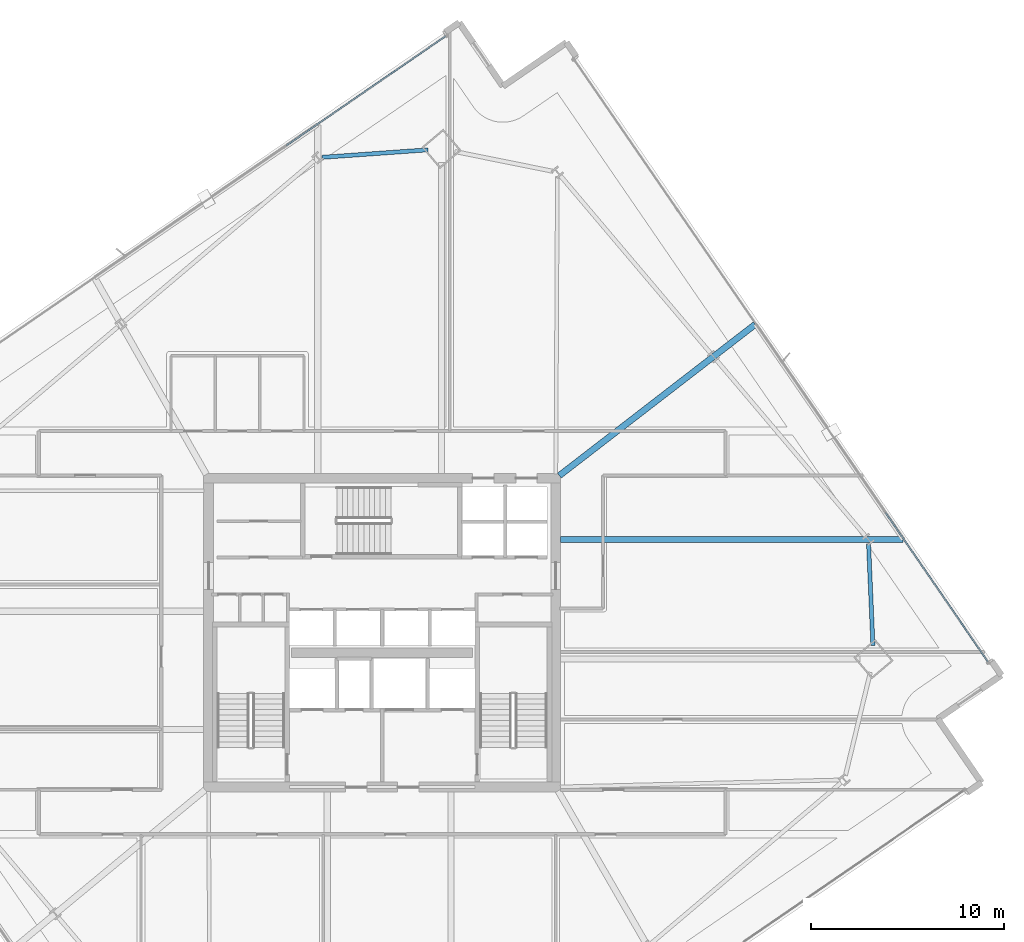
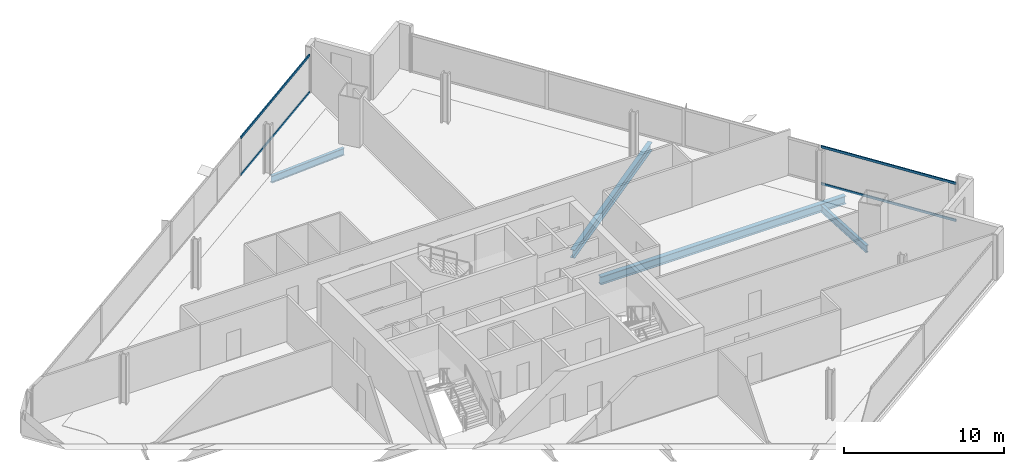
# One storey, part 16 of 29: 4 beams, 4 members, 2 elements without a shape of their own.
"""IFC4 building model written with IfcOpenShell, lengths in metres."""

import ifcopenshell
import ifcopenshell.guid

model = None  # the IFC model being written
_history = None  # IfcOwnerHistory: only IFC2X3 demands one
_inside = {}  # id of a spatial element -> (the spatial element, [elements in it])
_under = {}  # id of a project, library or spatial element -> (it, [spatial elements below it])
_declared = {}  # id of a project -> (the project, [libraries it declares])
_typed = {}  # id of a type object -> (the type object, [elements of that type])
_made_of = {}  # id of a material, layer set ... -> (it, [elements and type objects made of it])


def new_model(schema):
    """Start an empty IFC model of exactly this schema.

    Asked for "IFC4X3", IfcOpenShell would pick the latest addendum, in which some entities
    have other attributes; the version numbers below select the first issue.
    IFC2X3 requires an IfcOwnerHistory on every rooted entity: one is made here for all.
    """
    global model, _history
    if schema == "IFC4X3":
        model = ifcopenshell.file(schema_version=(4, 3, 0, 0))
    else:
        model = ifcopenshell.file(schema=schema)
    _inside.clear()
    _under.clear()
    _declared.clear()
    _typed.clear()
    _made_of.clear()
    _history = None
    if model.schema == "IFC2X3":
        org = make("IfcOrganization", Name="unknown")
        user = make(
            "IfcPersonAndOrganization",
            ThePerson=make("IfcPerson", FamilyName="unknown"),
            TheOrganization=org,
        )
        app = make(
            "IfcApplication",
            ApplicationDeveloper=org,
            Version="unknown",
            ApplicationFullName="unknown",
            ApplicationIdentifier="unknown",
        )
        _history = make(
            "IfcOwnerHistory",
            OwningUser=user,
            OwningApplication=app,
            ChangeAction="ADDED",
            CreationDate=0,
        )
    return model


def make(cls, **values):
    """One entity of the class cls with the attributes given. An attribute that is None is left unset."""
    return model.create_entity(
        cls, **{name: value for name, value in values.items() if value is not None}
    )


def rooted(cls, **values):
    """An entity with a GlobalId (a new one), such as an element, a storey or a relation."""
    return make(cls, GlobalId=ifcopenshell.guid.new(), OwnerHistory=_history, **values)


def si_unit(unit_type, name, prefix=None):
    """IfcSIUnit, for example si_unit("LENGTHUNIT", "METRE", prefix="MILLI")."""
    return make("IfcSIUnit", UnitType=unit_type, Prefix=prefix, Name=name)


def assignment(units):
    """IfcUnitAssignment: the units of a project."""
    return None if units is None else make("IfcUnitAssignment", Units=units)


def point(xyz):
    """IfcCartesianPoint."""
    return None if xyz is None else make("IfcCartesianPoint", Coordinates=xyz)


def direction(xyz):
    """IfcDirection."""
    return None if xyz is None else make("IfcDirection", DirectionRatios=xyz)


def frame(location, z_axis=None, x_axis=None):
    """IfcAxis2Placement3D, a coordinate frame: its origin and axes. An axis left out is left unset."""
    return make(
        "IfcAxis2Placement3D",
        Location=point(location),
        Axis=direction(z_axis),
        RefDirection=direction(x_axis),
    )


def frame_2d(location, x_axis=None):
    """IfcAxis2Placement2D, a coordinate frame in the plane: its origin and x axis."""
    return make(
        "IfcAxis2Placement2D", Location=point(location), RefDirection=direction(x_axis)
    )


def origin():
    """The frame at (0, 0, 0) with its axes left unset."""
    return frame((0.0, 0.0, 0.0))


def origin_2d():
    """The frame at (0, 0) in the plane with its x axis left unset."""
    return frame_2d((0.0, 0.0))


def place(relative_to, where):
    """IfcLocalPlacement: puts the frame where relative to a parent placement (None: the world)."""
    return make(
        "IfcLocalPlacement", PlacementRelTo=relative_to, RelativePlacement=where
    )


def context(
    kind, dimensions, precision=None, world=None, true_north=None, identifier=None
):
    """IfcGeometricRepresentationContext, for example the 3D "Model" context."""
    return make(
        "IfcGeometricRepresentationContext",
        ContextIdentifier=identifier,
        ContextType=kind,
        CoordinateSpaceDimension=dimensions,
        Precision=precision,
        WorldCoordinateSystem=world,
        TrueNorth=true_north,
    )


def subcontext(parent, identifier, kind, view, scale=None):
    """IfcGeometricRepresentationSubContext, for example "Body" below "Model"."""
    return make(
        "IfcGeometricRepresentationSubContext",
        ContextIdentifier=identifier,
        ContextType=kind,
        ParentContext=parent,
        TargetScale=scale,
        TargetView=view,
    )


def project(units=None, contexts=None):
    """IfcProject with its units and contexts."""
    return rooted(
        "IfcProject",
        Name="project",
        RepresentationContexts=contexts,
        UnitsInContext=assignment(units),
    )


def spatial(cls, under=None, at=None, **own):
    """A site, building, storey or space (cls), placed at a placement, below another one or the project."""
    s = rooted(cls, ObjectPlacement=at, **own)
    if under is not None:
        _under.setdefault(under.id(), (under, []))[1].append(s)
    return s


def profile(cls, at=None, kind="AREA", **sizes):
    """A parametric profile (cls). Its sizes go by their IFC names, for example OverallWidth=200.0."""
    return make(cls, ProfileType=kind, Position=at, **sizes)


def hollow_rectangle(**sizes):
    """IfcRectangleHollowProfileDef."""
    return profile("IfcRectangleHollowProfileDef", **sizes)


def i_section(**sizes):
    """IfcIShapeProfileDef."""
    return profile("IfcIShapeProfileDef", **sizes)


def extrude(swept, where, along, depth):
    """IfcExtrudedAreaSolid: the profile swept, set in the frame where, extruded along a direction by depth."""
    return make(
        "IfcExtrudedAreaSolid",
        SweptArea=swept,
        Position=where,
        ExtrudedDirection=direction(along),
        Depth=depth,
    )


def shape(context_of_items, identifier, shape_type, items):
    """IfcShapeRepresentation: the items that make up one representation, for example the "Body"."""
    return make(
        "IfcShapeRepresentation",
        ContextOfItems=context_of_items,
        RepresentationIdentifier=identifier,
        RepresentationType=shape_type,
        Items=items,
    )


def material(Name=None, Category=None):
    """IfcMaterial."""
    return make("IfcMaterial", Name=Name, Category=Category)


def material_profile(
    of_material, cross_section, Name=None, Category=None, Priority=None
):
    """IfcMaterialProfile: a cross section and its material."""
    return make(
        "IfcMaterialProfile",
        Name=Name,
        Material=of_material,
        Profile=cross_section,
        Priority=Priority,
        Category=Category,
    )


def profile_set(profiles, Name=None, composite=None):
    """IfcMaterialProfileSet."""
    return make(
        "IfcMaterialProfileSet",
        Name=Name,
        MaterialProfiles=profiles,
        CompositeProfile=composite,
    )


def made_of(thing, what):
    """Note that an element or type object is made of a material, layer set ...; save() writes the relation."""
    if what is not None:
        _made_of.setdefault(what.id(), (what, []))[1].append(thing)
    return thing


def type_object(cls, material=None, **own):
    """A type object (cls), such as IfcWallType, which elements share."""
    return made_of(rooted(cls, **own), material)


def element(
    cls,
    number,
    at=None,
    inside=None,
    cuts=None,
    type_object=None,
    material=None,
    context=None,
    identifier="Body",
    shape_type=None,
    held_by="IfcProductDefinitionShape",
    body=None,
    shapes=None,
    **own,
):
    """One element of the class cls, such as IfcWall. Its Tag is "e" and its number.

    at: its placement. inside: the storey or other place that contains it. cuts: it is an
    opening in that element (IfcRelVoidsElement). A single representation is given by context,
    identifier, shape_type and body (its items); several are given by shapes. held_by: the class
    of the entity that holds the representations. save() writes the other relations.
    """
    e = rooted(cls, Tag="e%d" % number, ObjectPlacement=at, **own)
    if body is not None:
        shapes = [shape(context, identifier, shape_type, body)]
    if shapes is not None:
        e.Representation = make(held_by, Representations=shapes)
    if inside is not None:
        _inside.setdefault(inside.id(), (inside, []))[1].append(e)
    if cuts is not None:
        rooted(
            "IfcRelVoidsElement", RelatingBuildingElement=cuts, RelatedOpeningElement=e
        )
    if type_object is not None:
        _typed.setdefault(type_object.id(), (type_object, []))[1].append(e)
    return made_of(e, material)


def aggregate(whole, parts):
    """IfcRelAggregates: a whole, such as a stair, and the parts it consists of."""
    return rooted("IfcRelAggregates", RelatingObject=whole, RelatedObjects=parts)


def save(model, path):
    """Write the relations noted so far, then the file.

    IfcRelAggregates (storeys below a building ...), IfcRelContainedInSpatialStructure (elements
    in a storey), IfcRelDefinesByType, IfcRelAssociatesMaterial and IfcRelDeclares: one each for
    every whole, place, type object, material and project.
    """
    for whole, parts in _under.values():
        aggregate(whole, parts)
    for where, things in _inside.values():
        rooted(
            "IfcRelContainedInSpatialStructure",
            RelatedElements=things,
            RelatingStructure=where,
        )
    for kind, things in _typed.values():
        rooted("IfcRelDefinesByType", RelatedObjects=things, RelatingType=kind)
    for what, things in _made_of.values():
        rooted("IfcRelAssociatesMaterial", RelatedObjects=things, RelatingMaterial=what)
    for by, libraries in _declared.values():
        rooted("IfcRelDeclares", RelatingContext=by, RelatedDefinitions=libraries)
    model.write(path)


model = new_model("IFC4")

# Units and contexts
model_context = context("Model", 3, precision=1e-05, world=origin(), true_north=direction((0.0, 1.0)))
body_context = subcontext(model_context, "Body", "Model", "MODEL_VIEW")
ifc_project = project(units=[si_unit("LENGTHUNIT", "METRE"), si_unit("AREAUNIT", "SQUARE_METRE"), si_unit("VOLUMEUNIT", "CUBIC_METRE"), si_unit("PLANEANGLEUNIT", "RADIAN"), si_unit("MASSUNIT", "GRAM", prefix="KILO")], contexts=[model_context])

# Site, building, storey
site_placement = place(None, origin())
site = spatial("IfcSite", under=ifc_project, at=site_placement, CompositionType="ELEMENT")
building_placement = place(site_placement, origin())
building = spatial("IfcBuilding", under=site, at=building_placement, Name="Haldenkirk Collegiate Tower", CompositionType="ELEMENT")
storey_placement = place(building_placement, frame((0.0, 0.0, 144.449951171875)))
storey = spatial("IfcBuildingStorey", under=building, at=storey_placement, Name="L35", CompositionType="ELEMENT", Elevation=144.449951171875)

# Beams
ifc_material_1 = material(Name="Steel ASTM A992 Grade 50", Category="steel")
ifc_material_profile_1 = material_profile(ifc_material_1, i_section(OverallWidth=0.324951171875, OverallDepth=0.615966796875, WebThickness=0.013916015625, FlangeThickness=0.021484375, at=origin_2d()), Name="W24X117")
ifc_profile_set_1 = profile_set([ifc_material_profile_1], Name="Steel ASTM A992 Grade 50")
beam_type_1 = type_object("IfcBeamType", Name="BM-GIRDER-W24X117", PredefinedType="BEAM", material=ifc_profile_set_1)
beam_1_placement = place(storey_placement, frame((62.995361328125, 30.82421875, -0.597900390625), z_axis=(-1.0, 0.0, 0.0), x_axis=(0.0, -1.0, 0.0)))
element("IfcBeam", 1, at=beam_1_placement, inside=storey, type_object=beam_type_1, Name="L35 primary floor girder 08", PredefinedType="BEAM", context=body_context, shape_type="SweptSolid", body=[
    extrude(i_section(OverallWidth=0.324951171875, OverallDepth=0.615966796875, WebThickness=0.013916015625, FlangeThickness=0.021484375, at=origin_2d()), origin(), (0.0, 0.0, 1.0), 17.765380859375),
])
beam_2_placement = place(storey_placement, frame((55.33154296875, 41.974853515625, -0.597900390625), z_axis=(-0.791596461245, -0.611044223067, 0.0), x_axis=(0.611044223067, -0.791596461245, 0.0)))
element("IfcBeam", 2, at=beam_2_placement, inside=storey, type_object=beam_type_1, Name="L35 primary floor girder 09", PredefinedType="BEAM", context=body_context, shape_type="SweptSolid", body=[
    extrude(i_section(OverallWidth=0.324951171875, OverallDepth=0.615966796875, WebThickness=0.013916015625, FlangeThickness=0.021484375, at=origin_2d()), origin(), (0.0, 0.0, 1.0), 12.821533203125),
])
ifc_material_profile_2 = material_profile(ifc_material_1, i_section(OverallWidth=0.2119140625, OverallDepth=0.5439453125, WebThickness=0.01318359375, FlangeThickness=0.021240234375, at=origin_2d()), Name="W21X83")
ifc_profile_set_2 = profile_set([ifc_material_profile_2], Name="Steel ASTM A992 Grade 50")
beam_type_2 = type_object("IfcBeamType", Name="BM-SPANDREL-W21X83", PredefinedType="SPANDREL", material=ifc_profile_set_2)
beam_3_placement = place(storey_placement, frame((61.434814453125, 25.33349609375, -0.56201171875), z_axis=(-0.042833703015, 0.999082215779, 0.0), x_axis=(-0.999082215779, -0.042833703015, 0.0)))
element("IfcBeam", 3, at=beam_3_placement, inside=storey, type_object=beam_type_2, Name="L35 perimeter spandrel beam 05", PredefinedType="SPANDREL", context=body_context, shape_type="SweptSolid", body=[
    extrude(i_section(OverallWidth=0.2119140625, OverallDepth=0.5439453125, WebThickness=0.01318359375, FlangeThickness=0.021240234375, at=origin_2d()), origin(), (0.0, 0.0, 1.0), 5.2666015625),
])
beam_4_placement = place(storey_placement, frame((38.373779296875, 51.025146484375, -0.56201171875), z_axis=(-0.997489017738, -0.070821320891, 0.0), x_axis=(0.070821320891, -0.997489017738, 0.0)))
element("IfcBeam", 4, at=beam_4_placement, inside=storey, type_object=beam_type_2, Name="L35 perimeter spandrel beam 09", PredefinedType="SPANDREL", context=body_context, shape_type="SweptSolid", body=[
    extrude(i_section(OverallWidth=0.2119140625, OverallDepth=0.5439453125, WebThickness=0.01318359375, FlangeThickness=0.021240234375, at=origin_2d()), origin(), (0.0, 0.0, 1.0), 5.501953125),
])

# Curtain wall, members
ifc_material_2 = material(Name="Anodised architectural bronze aluminium", Category="aluminium")
curtain_wall_type = type_object("IfcCurtainWallType", Name="CW-SYS1-CONVEX-LOW", PredefinedType="USERDEFINED", material=ifc_material_2)
curtain_wall_1_placement = place(storey_placement, origin())
curtain_wall_1 = element("IfcCurtainWall", 5, at=curtain_wall_1_placement, inside=storey, type_object=curtain_wall_type, Name="L35 Lower tower convex bronze-framed unitised curtain wall", ObjectType="UNITISED CURTAIN WALL", PredefinedType="USERDEFINED")
ifc_material_profile_3 = material_profile(ifc_material_2, hollow_rectangle(XDim=0.080078125, YDim=0.179931640625, WallThickness=0.0048828125, at=origin_2d()), Name="CW-TRN-1A")
ifc_profile_set_3 = profile_set([ifc_material_profile_3], Name="Anodised architectural bronze aluminium")
member_type = type_object("IfcMemberType", Name="CW-TRN-1A", PredefinedType="USERDEFINED", material=ifc_profile_set_3)
member_1_placement = place(storey_placement, frame((62.079833984375, 32.226806640625, 0.0400390625), z_axis=(0.566399572463, -0.82413076894, 0.0), x_axis=(0.82413076894, 0.566399572463, 0.0)))
member_1 = element("IfcMember", 6, at=member_1_placement, type_object=member_type, Name="CW-1A transom 4.1", ObjectType="TRANSOM", PredefinedType="USERDEFINED", context=body_context, shape_type="SweptSolid", body=[
    extrude(hollow_rectangle(XDim=0.080078125, YDim=0.179931640625, WallThickness=0.0048828125, at=origin_2d()), origin(), (0.0, 0.0, 1.0), 9.3798828125),
])
member_2_placement = place(storey_placement, frame((62.079833984375, 32.226806640625, 2.87109375), z_axis=(0.566399572463, -0.82413076894, 0.0), x_axis=(0.82413076894, 0.566399572463, 0.0)))
member_2 = element("IfcMember", 7, at=member_2_placement, type_object=member_type, Name="CW-1A transom 4.2", ObjectType="TRANSOM", PredefinedType="USERDEFINED", context=body_context, shape_type="SweptSolid", body=[
    extrude(hollow_rectangle(XDim=0.080078125, YDim=0.179931640625, WallThickness=0.0048828125, at=origin_2d()), origin(), (0.0, 0.0, 1.0), 9.3798828125),
])
aggregate(curtain_wall_1, [member_1, member_2])

curtain_wall_2_placement = place(storey_placement, origin())
curtain_wall_2 = element("IfcCurtainWall", 8, at=curtain_wall_2_placement, inside=storey, type_object=curtain_wall_type, Name="L35 Lower tower convex bronze-framed unitised curtain wall", ObjectType="UNITISED CURTAIN WALL", PredefinedType="USERDEFINED")
member_3_placement = place(storey_placement, frame((31.019287109375, 51.237548828125, 0.0400390625), z_axis=(0.82412571933, 0.566406919748, 0.0), x_axis=(-0.566406919748, 0.82412571933, 0.0)))
member_3 = element("IfcMember", 9, at=member_3_placement, type_object=member_type, Name="CW-1A transom 4.1", ObjectType="TRANSOM", PredefinedType="USERDEFINED", context=body_context, shape_type="SweptSolid", body=[
    extrude(hollow_rectangle(XDim=0.080078125, YDim=0.179931640625, WallThickness=0.0048828125, at=origin_2d()), origin(), (0.0, 0.0, 1.0), 10.0302734375),
])
member_4_placement = place(storey_placement, frame((31.019287109375, 51.237548828125, 2.87109375), z_axis=(0.82412571933, 0.566406919748, 0.0), x_axis=(-0.566406919748, 0.82412571933, 0.0)))
member_4 = element("IfcMember", 10, at=member_4_placement, type_object=member_type, Name="CW-1A transom 4.2", ObjectType="TRANSOM", PredefinedType="USERDEFINED", context=body_context, shape_type="SweptSolid", body=[
    extrude(hollow_rectangle(XDim=0.080078125, YDim=0.179931640625, WallThickness=0.0048828125, at=origin_2d()), origin(), (0.0, 0.0, 1.0), 10.0302734375),
])
aggregate(curtain_wall_2, [member_3, member_4])

save(model, "model.ifc")
